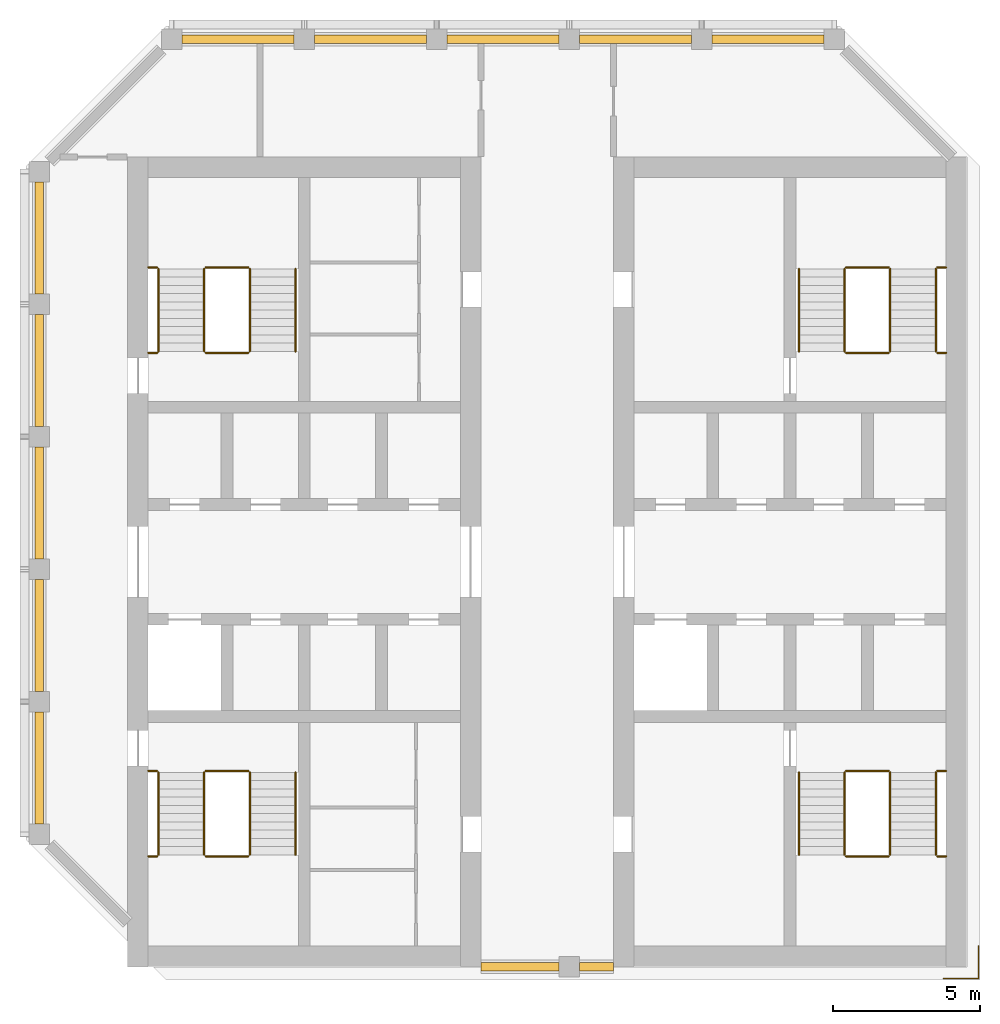
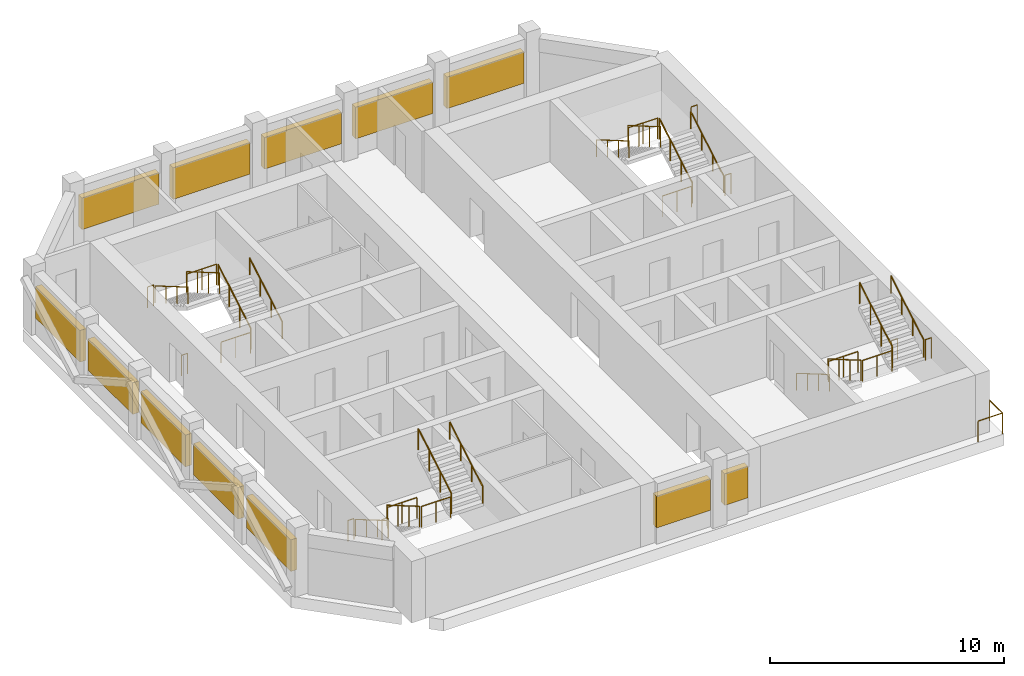
# One storey, part 5 of 5: 33 railings, 12 shading devices.
"""IFC4 building model written with IfcOpenShell, lengths in metres."""

from ifc_helpers import new_model, si_unit, direction, frame, origin, origin_2d, place, context, subcontext, project, spatial, rectangle, circle, extrude, material, layer, layer_set, type_object, element, save


model = new_model("IFC4")

# Units and contexts
model_context = context("Model", 3, precision=1e-05, world=origin(), true_north=direction((0.0, 1.0)))
body_context = subcontext(model_context, "Body", "Model", "MODEL_VIEW")
ifc_project = project(units=[si_unit("LENGTHUNIT", "METRE"), si_unit("AREAUNIT", "SQUARE_METRE"), si_unit("VOLUMEUNIT", "CUBIC_METRE"), si_unit("PLANEANGLEUNIT", "RADIAN"), si_unit("MASSUNIT", "GRAM", prefix="KILO")], contexts=[model_context])

# Site, building, storey
site_placement = place(None, origin())
site = spatial("IfcSite", under=ifc_project, at=site_placement, CompositionType="ELEMENT")
building_placement = place(site_placement, origin())
building = spatial("IfcBuilding", under=site, at=building_placement, Name="Corbel Stack Research Tower", CompositionType="ELEMENT")
storey_placement = place(building_placement, frame((0.0, 0.0, 326.199951171875)))
storey = spatial("IfcBuildingStorey", under=building, at=storey_placement, Name="L73", CompositionType="ELEMENT", Elevation=326.199951171875)

# Shading devices
ifc_material_1 = material(Name="Aluminium louvre", Category="aluminium")
ifc_layer = layer(ifc_material_1, 0.300048828125)
ifc_layer_set = layer_set([ifc_layer], Name="Aluminium louvre")
shading_device_type = type_object("IfcShadingDeviceType", Name="Plant louvre 300", PredefinedType="USERDEFINED", material=ifc_layer_set)
shading_device_1_placement = place(storey_placement, frame((2.824951171875, -9.0, 0.85009765625), z_axis=(0.0, 0.0, 1.0), x_axis=(1.0, 0.0, 0.0)))
element("IfcShadingDevice", 1, at=shading_device_1_placement, inside=storey, type_object=shading_device_type, Name="Plant louvre L73-01", ObjectType="LOUVRE", PredefinedType="USERDEFINED", context=body_context, shape_type="SweptSolid", body=[
    extrude(rectangle(XDim=2.64990234375, YDim=0.300048828125, at=origin_2d()), origin(), (0.0, 0.0, 1.0), 1.64990234375),
])
shading_device_2_placement = place(storey_placement, frame((5.425048828125, -9.0, 0.85009765625), z_axis=(0.0, 0.0, 1.0), x_axis=(1.0, 0.0, 0.0)))
element("IfcShadingDevice", 2, at=shading_device_2_placement, inside=storey, type_object=shading_device_type, Name="Plant louvre L73-02", ObjectType="LOUVRE", PredefinedType="USERDEFINED", context=body_context, shape_type="SweptSolid", body=[
    extrude(rectangle(XDim=1.14990234375, YDim=0.300048828125, at=origin_2d()), origin(), (0.0, 0.0, 1.0), 1.64990234375),
])
for number, where, z_axis, x_axis, name in (
    (3, (11.25, 22.5, 0.85009765625), (0.0, 0.0, 1.0), (-1.0, 0.0, 0.0), "Plant louvre L73-04"),
    (4, (6.75, 22.5, 0.85009765625), (0.0, 0.0, 1.0), (-1.0, 0.0, 0.0), "Plant louvre L73-05"),
    (5, (2.25, 22.5, 0.85009765625), (0.0, 0.0, 1.0), (-1.0, 0.0, 0.0), "Plant louvre L73-06"),
    (6, (-2.25, 22.5, 0.85009765625), (0.0, 0.0, 1.0), (-1.0, 0.0, 0.0), "Plant louvre L73-07"),
    (7, (-6.75, 22.5, 0.85009765625), (0.0, 0.0, 1.0), (-1.0, 0.0, 0.0), "Plant louvre L73-08"),
    (8, (-13.5, 15.75, 0.85009765625), (0.0, 0.0, 1.0), (0.0, -1.0, 0.0), "Plant louvre L73-10"),
    (9, (-13.5, 11.25, 0.85009765625), (0.0, 0.0, 1.0), (0.0, -1.0, 0.0), "Plant louvre L73-11"),
    (10, (-13.5, 6.75, 0.85009765625), (0.0, 0.0, 1.0), (0.0, -1.0, 0.0), "Plant louvre L73-12"),
    (11, (-13.5, 2.25, 0.85009765625), (0.0, 0.0, 1.0), (0.0, -1.0, 0.0), "Plant louvre L73-13"),
    (12, (-13.5, -2.25, 0.85009765625), (0.0, 0.0, 1.0), (0.0, -1.0, 0.0), "Plant louvre L73-14"),
):
    element("IfcShadingDevice", number, at=place(storey_placement, frame(where, z_axis=z_axis, x_axis=x_axis)), inside=storey, type_object=shading_device_type, Name=name, ObjectType="LOUVRE", PredefinedType="USERDEFINED", context=body_context, shape_type="SweptSolid", body=[
        extrude(rectangle(XDim=3.800048828125, YDim=0.300048828125, at=origin_2d()), origin(), (0.0, 0.0, 1.0), 1.64990234375),
    ])

# Railings
ifc_material_2 = material(Name="Steel S355", Category="steel")
railing_type_1 = type_object("IfcRailingType", Name="Stair guard 1100", PredefinedType="GUARDRAIL", material=ifc_material_2)
railing_1_placement = place(storey_placement, frame((-7.89990234375, -2.39990234375, 0.16357421875)))
element("IfcRailing", 13, at=railing_1_placement, inside=storey, type_object=railing_type_1, Name="L73 ST-W1 stair guard 1", PredefinedType="GUARDRAIL", context=body_context, shape_type="SweptSolid", body=[
    extrude(circle(Radius=0.02392578125, at=origin_2d()), frame((0.0, 0.0, 1.076171875), z_axis=(0.0, -0.863360870873, 0.504586966384), x_axis=(1.0, 0.0, 0.0)), (0.0, 0.0, 1.0), 3.2431640625),
    extrude(circle(Radius=0.02099609375, at=origin_2d()), origin(), (0.0, 0.0, 1.0), 1.052001953125),
    extrude(circle(Radius=0.02099609375, at=origin_2d()), frame((0.0, -0.933349609375, 0.54541015625)), (0.0, 0.0, 1.0), 1.052001953125),
    extrude(circle(Radius=0.02099609375, at=origin_2d()), frame((0.0, -1.86669921875, 1.091064453125)), (0.0, 0.0, 1.0), 1.052001953125),
    extrude(circle(Radius=0.02099609375, at=origin_2d()), frame((0.0, -2.800048828125, 1.636474609375)), (0.0, 0.0, 1.0), 1.052001953125),
])
railing_2_placement = place(storey_placement, frame((-7.85009765625, -5.25, 1.800048828125)))
element("IfcRailing", 14, at=railing_2_placement, inside=storey, type_object=railing_type_1, Name="L73 ST-W1 stair guard 2", PredefinedType="GUARDRAIL", context=body_context, shape_type="SweptSolid", body=[
    extrude(circle(Radius=0.02392578125, at=origin_2d()), frame((0.0, 0.0, 1.076171875), z_axis=(1.0, 0.0, 0.0), x_axis=(0.0, 1.0, 0.0)), (0.0, 0.0, 1.0), 1.4501953125),
    extrude(circle(Radius=0.02099609375, at=origin_2d()), origin(), (0.0, 0.0, 1.0), 1.052001953125),
    extrude(circle(Radius=0.02099609375, at=origin_2d()), frame((0.72509765625, 0.0, 0.0)), (0.0, 0.0, 1.0), 1.052001953125),
    extrude(circle(Radius=0.02099609375, at=origin_2d()), frame((1.4501953125, 0.0, 0.0)), (0.0, 0.0, 1.0), 1.052001953125),
])
railing_3_placement = place(storey_placement, frame((-9.800048828125, -5.25, 1.800048828125)))
element("IfcRailing", 15, at=railing_3_placement, inside=storey, type_object=railing_type_1, Name="L73 ST-W1 stair guard 3", PredefinedType="GUARDRAIL", context=body_context, shape_type="SweptSolid", body=[
    extrude(circle(Radius=0.02392578125, at=origin_2d()), frame((0.0, 0.0, 1.076171875), z_axis=(1.0, 0.0, 0.0), x_axis=(0.0, 1.0, 0.0)), (0.0, 0.0, 1.0), 0.300048828125),
    extrude(circle(Radius=0.02099609375, at=origin_2d()), origin(), (0.0, 0.0, 1.0), 1.052001953125),
    extrude(circle(Radius=0.02099609375, at=origin_2d()), frame((0.300048828125, 0.0, 0.0)), (0.0, 0.0, 1.0), 1.052001953125),
])
railing_4_placement = place(storey_placement, frame((-6.35009765625, -5.199951171875, 1.963623046875)))
element("IfcRailing", 16, at=railing_4_placement, inside=storey, type_object=railing_type_1, Name="L73 ST-W1 stair guard 4", PredefinedType="GUARDRAIL", context=body_context, shape_type="SweptSolid", body=[
    extrude(circle(Radius=0.02392578125, at=origin_2d()), frame((0.0, 0.0, 1.076171875), z_axis=(0.0, 0.863360870873, 0.504586966384), x_axis=(-1.0, 0.0, 0.0)), (0.0, 0.0, 1.0), 3.2431640625),
    extrude(circle(Radius=0.02099609375, at=origin_2d()), origin(), (0.0, 0.0, 1.0), 1.052001953125),
    extrude(circle(Radius=0.02099609375, at=origin_2d()), frame((0.0, 0.933349609375, 0.54541015625)), (0.0, 0.0, 1.0), 1.052001953125),
    extrude(circle(Radius=0.02099609375, at=origin_2d()), frame((0.0, 1.86669921875, 1.091064453125)), (0.0, 0.0, 1.0), 1.052001953125),
    extrude(circle(Radius=0.02099609375, at=origin_2d()), frame((0.0, 2.800048828125, 1.636474609375)), (0.0, 0.0, 1.0), 1.052001953125),
])
railing_5_placement = place(storey_placement, frame((-7.85009765625, -2.35009765625, 0.0)))
element("IfcRailing", 17, at=railing_5_placement, inside=storey, type_object=railing_type_1, Name="L73 ST-W1 stair guard 5", PredefinedType="GUARDRAIL", context=body_context, shape_type="SweptSolid", body=[
    extrude(circle(Radius=0.02392578125, at=origin_2d()), frame((0.0, 0.0, 1.076171875), z_axis=(1.0, 0.0, 0.0), x_axis=(0.0, 1.0, 0.0)), (0.0, 0.0, 1.0), 1.4501953125),
    extrude(circle(Radius=0.02099609375, at=origin_2d()), origin(), (0.0, 0.0, 1.0), 1.052001953125),
    extrude(circle(Radius=0.02099609375, at=origin_2d()), frame((0.72509765625, 0.0, 0.0)), (0.0, 0.0, 1.0), 1.052001953125),
    extrude(circle(Radius=0.02099609375, at=origin_2d()), frame((1.4501953125, 0.0, 0.0)), (0.0, 0.0, 1.0), 1.052001953125),
])
railing_6_placement = place(storey_placement, frame((-9.800048828125, -2.35009765625, 0.0)))
element("IfcRailing", 18, at=railing_6_placement, inside=storey, type_object=railing_type_1, Name="L73 ST-W1 stair guard 6", PredefinedType="GUARDRAIL", context=body_context, shape_type="SweptSolid", body=[
    extrude(circle(Radius=0.02392578125, at=origin_2d()), frame((0.0, 0.0, 1.076171875), z_axis=(1.0, 0.0, 0.0), x_axis=(0.0, 1.0, 0.0)), (0.0, 0.0, 1.0), 0.300048828125),
    extrude(circle(Radius=0.02099609375, at=origin_2d()), origin(), (0.0, 0.0, 1.0), 1.052001953125),
    extrude(circle(Radius=0.02099609375, at=origin_2d()), frame((0.300048828125, 0.0, 0.0)), (0.0, 0.0, 1.0), 1.052001953125),
])
railing_7_placement = place(storey_placement, frame((-6.35009765625, 11.89990234375, 0.16357421875)))
element("IfcRailing", 19, at=railing_7_placement, inside=storey, type_object=railing_type_1, Name="L73 ST-W2 stair guard 1", PredefinedType="GUARDRAIL", context=body_context, shape_type="SweptSolid", body=[
    extrude(circle(Radius=0.02392578125, at=origin_2d()), frame((0.0, 0.0, 1.076171875), z_axis=(0.0, 0.863360870873, 0.504586966384), x_axis=(-1.0, 0.0, 0.0)), (0.0, 0.0, 1.0), 3.2431640625),
    extrude(circle(Radius=0.02099609375, at=origin_2d()), origin(), (0.0, 0.0, 1.0), 1.052001953125),
    extrude(circle(Radius=0.02099609375, at=origin_2d()), frame((0.0, 0.933349609375, 0.54541015625)), (0.0, 0.0, 1.0), 1.052001953125),
    extrude(circle(Radius=0.02099609375, at=origin_2d()), frame((0.0, 1.86669921875, 1.091064453125)), (0.0, 0.0, 1.0), 1.052001953125),
    extrude(circle(Radius=0.02099609375, at=origin_2d()), frame((0.0, 2.800048828125, 1.636474609375)), (0.0, 0.0, 1.0), 1.052001953125),
])
railing_8_placement = place(storey_placement, frame((-6.39990234375, 14.75, 1.800048828125)))
element("IfcRailing", 20, at=railing_8_placement, inside=storey, type_object=railing_type_1, Name="L73 ST-W2 stair guard 2", PredefinedType="GUARDRAIL", context=body_context, shape_type="SweptSolid", body=[
    extrude(circle(Radius=0.02392578125, at=origin_2d()), frame((0.0, 0.0, 1.076171875), z_axis=(-1.0, 0.0, 0.0), x_axis=(0.0, -1.0, 0.0)), (0.0, 0.0, 1.0), 1.4501953125),
    extrude(circle(Radius=0.02099609375, at=origin_2d()), origin(), (0.0, 0.0, 1.0), 1.052001953125),
    extrude(circle(Radius=0.02099609375, at=origin_2d()), frame((-0.72509765625, 0.0, 0.0)), (0.0, 0.0, 1.0), 1.052001953125),
    extrude(circle(Radius=0.02099609375, at=origin_2d()), frame((-1.4501953125, 0.0, 0.0)), (0.0, 0.0, 1.0), 1.052001953125),
])
railing_9_placement = place(storey_placement, frame((-9.5, 14.75, 1.800048828125)))
element("IfcRailing", 21, at=railing_9_placement, inside=storey, type_object=railing_type_1, Name="L73 ST-W2 stair guard 3", PredefinedType="GUARDRAIL", context=body_context, shape_type="SweptSolid", body=[
    extrude(circle(Radius=0.02392578125, at=origin_2d()), frame((0.0, 0.0, 1.076171875), z_axis=(-1.0, 0.0, 0.0), x_axis=(0.0, -1.0, 0.0)), (0.0, 0.0, 1.0), 0.300048828125),
    extrude(circle(Radius=0.02099609375, at=origin_2d()), origin(), (0.0, 0.0, 1.0), 1.052001953125),
    extrude(circle(Radius=0.02099609375, at=origin_2d()), frame((-0.300048828125, 0.0, 0.0)), (0.0, 0.0, 1.0), 1.052001953125),
])
railing_10_placement = place(storey_placement, frame((-7.89990234375, 14.699951171875, 1.963623046875)))
element("IfcRailing", 22, at=railing_10_placement, inside=storey, type_object=railing_type_1, Name="L73 ST-W2 stair guard 4", PredefinedType="GUARDRAIL", context=body_context, shape_type="SweptSolid", body=[
    extrude(circle(Radius=0.02392578125, at=origin_2d()), frame((0.0, 0.0, 1.076171875), z_axis=(0.0, -0.863360870873, 0.504586966384), x_axis=(1.0, 0.0, 0.0)), (0.0, 0.0, 1.0), 3.2431640625),
    extrude(circle(Radius=0.02099609375, at=origin_2d()), origin(), (0.0, 0.0, 1.0), 1.052001953125),
    extrude(circle(Radius=0.02099609375, at=origin_2d()), frame((0.0, -0.933349609375, 0.54541015625)), (0.0, 0.0, 1.0), 1.052001953125),
    extrude(circle(Radius=0.02099609375, at=origin_2d()), frame((0.0, -1.86669921875, 1.091064453125)), (0.0, 0.0, 1.0), 1.052001953125),
    extrude(circle(Radius=0.02099609375, at=origin_2d()), frame((0.0, -2.800048828125, 1.636474609375)), (0.0, 0.0, 1.0), 1.052001953125),
])
railing_11_placement = place(storey_placement, frame((-6.39990234375, 11.85009765625, 0.0)))
element("IfcRailing", 23, at=railing_11_placement, inside=storey, type_object=railing_type_1, Name="L73 ST-W2 stair guard 5", PredefinedType="GUARDRAIL", context=body_context, shape_type="SweptSolid", body=[
    extrude(circle(Radius=0.02392578125, at=origin_2d()), frame((0.0, 0.0, 1.076171875), z_axis=(-1.0, 0.0, 0.0), x_axis=(0.0, -1.0, 0.0)), (0.0, 0.0, 1.0), 1.4501953125),
    extrude(circle(Radius=0.02099609375, at=origin_2d()), origin(), (0.0, 0.0, 1.0), 1.052001953125),
    extrude(circle(Radius=0.02099609375, at=origin_2d()), frame((-0.72509765625, 0.0, 0.0)), (0.0, 0.0, 1.0), 1.052001953125),
    extrude(circle(Radius=0.02099609375, at=origin_2d()), frame((-1.4501953125, 0.0, 0.0)), (0.0, 0.0, 1.0), 1.052001953125),
])
railing_12_placement = place(storey_placement, frame((-9.5, 11.85009765625, 0.0)))
element("IfcRailing", 24, at=railing_12_placement, inside=storey, type_object=railing_type_1, Name="L73 ST-W2 stair guard 6", PredefinedType="GUARDRAIL", context=body_context, shape_type="SweptSolid", body=[
    extrude(circle(Radius=0.02392578125, at=origin_2d()), frame((0.0, 0.0, 1.076171875), z_axis=(-1.0, 0.0, 0.0), x_axis=(0.0, -1.0, 0.0)), (0.0, 0.0, 1.0), 0.300048828125),
    extrude(circle(Radius=0.02099609375, at=origin_2d()), origin(), (0.0, 0.0, 1.0), 1.052001953125),
    extrude(circle(Radius=0.02099609375, at=origin_2d()), frame((-0.300048828125, 0.0, 0.0)), (0.0, 0.0, 1.0), 1.052001953125),
])
railing_13_placement = place(storey_placement, frame((13.85009765625, -2.39990234375, 0.16357421875)))
element("IfcRailing", 25, at=railing_13_placement, inside=storey, type_object=railing_type_1, Name="L73 ST-E1 stair guard 1", PredefinedType="GUARDRAIL", context=body_context, shape_type="SweptSolid", body=[
    extrude(circle(Radius=0.02392578125, at=origin_2d()), frame((0.0, 0.0, 1.076171875), z_axis=(0.0, -0.863360870873, 0.504586966384), x_axis=(1.0, 0.0, 0.0)), (0.0, 0.0, 1.0), 3.2431640625),
    extrude(circle(Radius=0.02099609375, at=origin_2d()), origin(), (0.0, 0.0, 1.0), 1.052001953125),
    extrude(circle(Radius=0.02099609375, at=origin_2d()), frame((0.0, -0.933349609375, 0.54541015625)), (0.0, 0.0, 1.0), 1.052001953125),
    extrude(circle(Radius=0.02099609375, at=origin_2d()), frame((0.0, -1.86669921875, 1.091064453125)), (0.0, 0.0, 1.0), 1.052001953125),
    extrude(circle(Radius=0.02099609375, at=origin_2d()), frame((0.0, -2.800048828125, 1.636474609375)), (0.0, 0.0, 1.0), 1.052001953125),
])
railing_14_placement = place(storey_placement, frame((13.89990234375, -5.25, 1.800048828125)))
element("IfcRailing", 26, at=railing_14_placement, inside=storey, type_object=railing_type_1, Name="L73 ST-E1 stair guard 2", PredefinedType="GUARDRAIL", context=body_context, shape_type="SweptSolid", body=[
    extrude(circle(Radius=0.02392578125, at=origin_2d()), frame((0.0, 0.0, 1.076171875), z_axis=(1.0, 0.0, 0.0), x_axis=(0.0, 1.0, 0.0)), (0.0, 0.0, 1.0), 1.4501953125),
    extrude(circle(Radius=0.02099609375, at=origin_2d()), origin(), (0.0, 0.0, 1.0), 1.052001953125),
    extrude(circle(Radius=0.02099609375, at=origin_2d()), frame((0.72509765625, 0.0, 0.0)), (0.0, 0.0, 1.0), 1.052001953125),
    extrude(circle(Radius=0.02099609375, at=origin_2d()), frame((1.4501953125, 0.0, 0.0)), (0.0, 0.0, 1.0), 1.052001953125),
])
railing_15_placement = place(storey_placement, frame((17.0, -5.25, 1.800048828125)))
element("IfcRailing", 27, at=railing_15_placement, inside=storey, type_object=railing_type_1, Name="L73 ST-E1 stair guard 3", PredefinedType="GUARDRAIL", context=body_context, shape_type="SweptSolid", body=[
    extrude(circle(Radius=0.02392578125, at=origin_2d()), frame((0.0, 0.0, 1.076171875), z_axis=(1.0, 0.0, 0.0), x_axis=(0.0, 1.0, 0.0)), (0.0, 0.0, 1.0), 0.300048828125),
    extrude(circle(Radius=0.02099609375, at=origin_2d()), origin(), (0.0, 0.0, 1.0), 1.052001953125),
    extrude(circle(Radius=0.02099609375, at=origin_2d()), frame((0.300048828125, 0.0, 0.0)), (0.0, 0.0, 1.0), 1.052001953125),
])
railing_16_placement = place(storey_placement, frame((15.39990234375, -5.199951171875, 1.963623046875)))
element("IfcRailing", 28, at=railing_16_placement, inside=storey, type_object=railing_type_1, Name="L73 ST-E1 stair guard 4", PredefinedType="GUARDRAIL", context=body_context, shape_type="SweptSolid", body=[
    extrude(circle(Radius=0.02392578125, at=origin_2d()), frame((0.0, 0.0, 1.076171875), z_axis=(0.0, 0.863360870873, 0.504586966384), x_axis=(-1.0, 0.0, 0.0)), (0.0, 0.0, 1.0), 3.2431640625),
    extrude(circle(Radius=0.02099609375, at=origin_2d()), origin(), (0.0, 0.0, 1.0), 1.052001953125),
    extrude(circle(Radius=0.02099609375, at=origin_2d()), frame((0.0, 0.933349609375, 0.54541015625)), (0.0, 0.0, 1.0), 1.052001953125),
    extrude(circle(Radius=0.02099609375, at=origin_2d()), frame((0.0, 1.86669921875, 1.091064453125)), (0.0, 0.0, 1.0), 1.052001953125),
    extrude(circle(Radius=0.02099609375, at=origin_2d()), frame((0.0, 2.800048828125, 1.636474609375)), (0.0, 0.0, 1.0), 1.052001953125),
])
railing_17_placement = place(storey_placement, frame((13.89990234375, -2.35009765625, 0.0)))
element("IfcRailing", 29, at=railing_17_placement, inside=storey, type_object=railing_type_1, Name="L73 ST-E1 stair guard 5", PredefinedType="GUARDRAIL", context=body_context, shape_type="SweptSolid", body=[
    extrude(circle(Radius=0.02392578125, at=origin_2d()), frame((0.0, 0.0, 1.076171875), z_axis=(1.0, 0.0, 0.0), x_axis=(0.0, 1.0, 0.0)), (0.0, 0.0, 1.0), 1.4501953125),
    extrude(circle(Radius=0.02099609375, at=origin_2d()), origin(), (0.0, 0.0, 1.0), 1.052001953125),
    extrude(circle(Radius=0.02099609375, at=origin_2d()), frame((0.72509765625, 0.0, 0.0)), (0.0, 0.0, 1.0), 1.052001953125),
    extrude(circle(Radius=0.02099609375, at=origin_2d()), frame((1.4501953125, 0.0, 0.0)), (0.0, 0.0, 1.0), 1.052001953125),
])
railing_18_placement = place(storey_placement, frame((17.0, -2.35009765625, 0.0)))
element("IfcRailing", 30, at=railing_18_placement, inside=storey, type_object=railing_type_1, Name="L73 ST-E1 stair guard 6", PredefinedType="GUARDRAIL", context=body_context, shape_type="SweptSolid", body=[
    extrude(circle(Radius=0.02392578125, at=origin_2d()), frame((0.0, 0.0, 1.076171875), z_axis=(1.0, 0.0, 0.0), x_axis=(0.0, 1.0, 0.0)), (0.0, 0.0, 1.0), 0.300048828125),
    extrude(circle(Radius=0.02099609375, at=origin_2d()), origin(), (0.0, 0.0, 1.0), 1.052001953125),
    extrude(circle(Radius=0.02099609375, at=origin_2d()), frame((0.300048828125, 0.0, 0.0)), (0.0, 0.0, 1.0), 1.052001953125),
])
railing_19_placement = place(storey_placement, frame((15.39990234375, 11.89990234375, 0.16357421875)))
element("IfcRailing", 31, at=railing_19_placement, inside=storey, type_object=railing_type_1, Name="L73 ST-E2 stair guard 1", PredefinedType="GUARDRAIL", context=body_context, shape_type="SweptSolid", body=[
    extrude(circle(Radius=0.02392578125, at=origin_2d()), frame((0.0, 0.0, 1.076171875), z_axis=(0.0, 0.863360870873, 0.504586966384), x_axis=(-1.0, 0.0, 0.0)), (0.0, 0.0, 1.0), 3.2431640625),
    extrude(circle(Radius=0.02099609375, at=origin_2d()), origin(), (0.0, 0.0, 1.0), 1.052001953125),
    extrude(circle(Radius=0.02099609375, at=origin_2d()), frame((0.0, 0.933349609375, 0.54541015625)), (0.0, 0.0, 1.0), 1.052001953125),
    extrude(circle(Radius=0.02099609375, at=origin_2d()), frame((0.0, 1.86669921875, 1.091064453125)), (0.0, 0.0, 1.0), 1.052001953125),
    extrude(circle(Radius=0.02099609375, at=origin_2d()), frame((0.0, 2.800048828125, 1.636474609375)), (0.0, 0.0, 1.0), 1.052001953125),
])
railing_20_placement = place(storey_placement, frame((15.35009765625, 14.75, 1.800048828125)))
element("IfcRailing", 32, at=railing_20_placement, inside=storey, type_object=railing_type_1, Name="L73 ST-E2 stair guard 2", PredefinedType="GUARDRAIL", context=body_context, shape_type="SweptSolid", body=[
    extrude(circle(Radius=0.02392578125, at=origin_2d()), frame((0.0, 0.0, 1.076171875), z_axis=(-1.0, 0.0, 0.0), x_axis=(0.0, -1.0, 0.0)), (0.0, 0.0, 1.0), 1.4501953125),
    extrude(circle(Radius=0.02099609375, at=origin_2d()), origin(), (0.0, 0.0, 1.0), 1.052001953125),
    extrude(circle(Radius=0.02099609375, at=origin_2d()), frame((-0.72509765625, 0.0, 0.0)), (0.0, 0.0, 1.0), 1.052001953125),
    extrude(circle(Radius=0.02099609375, at=origin_2d()), frame((-1.4501953125, 0.0, 0.0)), (0.0, 0.0, 1.0), 1.052001953125),
])
railing_21_placement = place(storey_placement, frame((17.300048828125, 14.75, 1.800048828125)))
element("IfcRailing", 33, at=railing_21_placement, inside=storey, type_object=railing_type_1, Name="L73 ST-E2 stair guard 3", PredefinedType="GUARDRAIL", context=body_context, shape_type="SweptSolid", body=[
    extrude(circle(Radius=0.02392578125, at=origin_2d()), frame((0.0, 0.0, 1.076171875), z_axis=(-1.0, 0.0, 0.0), x_axis=(0.0, -1.0, 0.0)), (0.0, 0.0, 1.0), 0.300048828125),
    extrude(circle(Radius=0.02099609375, at=origin_2d()), origin(), (0.0, 0.0, 1.0), 1.052001953125),
    extrude(circle(Radius=0.02099609375, at=origin_2d()), frame((-0.300048828125, 0.0, 0.0)), (0.0, 0.0, 1.0), 1.052001953125),
])
railing_22_placement = place(storey_placement, frame((13.85009765625, 14.699951171875, 1.963623046875)))
element("IfcRailing", 34, at=railing_22_placement, inside=storey, type_object=railing_type_1, Name="L73 ST-E2 stair guard 4", PredefinedType="GUARDRAIL", context=body_context, shape_type="SweptSolid", body=[
    extrude(circle(Radius=0.02392578125, at=origin_2d()), frame((0.0, 0.0, 1.076171875), z_axis=(0.0, -0.863360870873, 0.504586966384), x_axis=(1.0, 0.0, 0.0)), (0.0, 0.0, 1.0), 3.2431640625),
    extrude(circle(Radius=0.02099609375, at=origin_2d()), origin(), (0.0, 0.0, 1.0), 1.052001953125),
    extrude(circle(Radius=0.02099609375, at=origin_2d()), frame((0.0, -0.933349609375, 0.54541015625)), (0.0, 0.0, 1.0), 1.052001953125),
    extrude(circle(Radius=0.02099609375, at=origin_2d()), frame((0.0, -1.86669921875, 1.091064453125)), (0.0, 0.0, 1.0), 1.052001953125),
    extrude(circle(Radius=0.02099609375, at=origin_2d()), frame((0.0, -2.800048828125, 1.636474609375)), (0.0, 0.0, 1.0), 1.052001953125),
])
railing_23_placement = place(storey_placement, frame((15.35009765625, 11.85009765625, 0.0)))
element("IfcRailing", 35, at=railing_23_placement, inside=storey, type_object=railing_type_1, Name="L73 ST-E2 stair guard 5", PredefinedType="GUARDRAIL", context=body_context, shape_type="SweptSolid", body=[
    extrude(circle(Radius=0.02392578125, at=origin_2d()), frame((0.0, 0.0, 1.076171875), z_axis=(-1.0, 0.0, 0.0), x_axis=(0.0, -1.0, 0.0)), (0.0, 0.0, 1.0), 1.4501953125),
    extrude(circle(Radius=0.02099609375, at=origin_2d()), origin(), (0.0, 0.0, 1.0), 1.052001953125),
    extrude(circle(Radius=0.02099609375, at=origin_2d()), frame((-0.72509765625, 0.0, 0.0)), (0.0, 0.0, 1.0), 1.052001953125),
    extrude(circle(Radius=0.02099609375, at=origin_2d()), frame((-1.4501953125, 0.0, 0.0)), (0.0, 0.0, 1.0), 1.052001953125),
])
railing_24_placement = place(storey_placement, frame((17.300048828125, 11.85009765625, 0.0)))
element("IfcRailing", 36, at=railing_24_placement, inside=storey, type_object=railing_type_1, Name="L73 ST-E2 stair guard 6", PredefinedType="GUARDRAIL", context=body_context, shape_type="SweptSolid", body=[
    extrude(circle(Radius=0.02392578125, at=origin_2d()), frame((0.0, 0.0, 1.076171875), z_axis=(-1.0, 0.0, 0.0), x_axis=(0.0, -1.0, 0.0)), (0.0, 0.0, 1.0), 0.300048828125),
    extrude(circle(Radius=0.02099609375, at=origin_2d()), origin(), (0.0, 0.0, 1.0), 1.052001953125),
    extrude(circle(Radius=0.02099609375, at=origin_2d()), frame((-0.300048828125, 0.0, 0.0)), (0.0, 0.0, 1.0), 1.052001953125),
])
ifc_material_3 = material(Name="Steel S355", Category="steel")
railing_type_2 = type_object("IfcRailingType", Name="Stair handrail 900", PredefinedType="HANDRAIL", material=ifc_material_3)
railing_25_placement = place(storey_placement, frame((-9.449951171875, -2.39990234375, 0.16357421875)))
element("IfcRailing", 37, at=railing_25_placement, inside=storey, type_object=railing_type_2, Name="L73 ST-W1 stair handrail 1", PredefinedType="HANDRAIL", context=body_context, shape_type="SweptSolid", body=[
    extrude(circle(Radius=0.02392578125, at=origin_2d()), frame((0.0, 0.0, 0.8759765625), z_axis=(0.0, -0.863360870873, 0.504586966384), x_axis=(1.0, 0.0, 0.0)), (0.0, 0.0, 1.0), 3.2431640625),
    extrude(circle(Radius=0.02099609375, at=origin_2d()), origin(), (0.0, 0.0, 1.0), 0.851806640625),
    extrude(circle(Radius=0.02099609375, at=origin_2d()), frame((0.0, -0.933349609375, 0.54541015625)), (0.0, 0.0, 1.0), 0.851806640625),
    extrude(circle(Radius=0.02099609375, at=origin_2d()), frame((0.0, -1.86669921875, 1.091064453125)), (0.0, 0.0, 1.0), 0.851806640625),
    extrude(circle(Radius=0.02099609375, at=origin_2d()), frame((0.0, -2.800048828125, 1.636474609375)), (0.0, 0.0, 1.0), 0.851806640625),
])
for number, where, name in (
    (38, (-4.800048828125, -5.199951171875, 1.963623046875), "L73 ST-W1 stair handrail 2"),
    (39, (-4.800048828125, 11.89990234375, 0.16357421875), "L73 ST-W2 stair handrail 1"),
):
    element("IfcRailing", number, at=place(storey_placement, frame(where)), inside=storey, type_object=railing_type_2, Name=name, PredefinedType="HANDRAIL", context=body_context, shape_type="SweptSolid", body=[
        extrude(circle(Radius=0.02392578125, at=origin_2d()), frame((0.0, 0.0, 0.8759765625), z_axis=(0.0, 0.863360870873, 0.504586966384), x_axis=(-1.0, 0.0, 0.0)), (0.0, 0.0, 1.0), 3.2431640625),
        extrude(circle(Radius=0.02099609375, at=origin_2d()), origin(), (0.0, 0.0, 1.0), 0.851806640625),
        extrude(circle(Radius=0.02099609375, at=origin_2d()), frame((0.0, 0.933349609375, 0.54541015625)), (0.0, 0.0, 1.0), 0.851806640625),
        extrude(circle(Radius=0.02099609375, at=origin_2d()), frame((0.0, 1.86669921875, 1.091064453125)), (0.0, 0.0, 1.0), 0.851806640625),
        extrude(circle(Radius=0.02099609375, at=origin_2d()), frame((0.0, 2.800048828125, 1.636474609375)), (0.0, 0.0, 1.0), 0.851806640625),
    ])
for number, where, name in (
    (40, (-9.449951171875, 14.699951171875, 1.963623046875), "L73 ST-W2 stair handrail 2"),
    (41, (12.300048828125, -2.39990234375, 0.16357421875), "L73 ST-E1 stair handrail 1"),
):
    element("IfcRailing", number, at=place(storey_placement, frame(where)), inside=storey, type_object=railing_type_2, Name=name, PredefinedType="HANDRAIL", context=body_context, shape_type="SweptSolid", body=[
        extrude(circle(Radius=0.02392578125, at=origin_2d()), frame((0.0, 0.0, 0.8759765625), z_axis=(0.0, -0.863360870873, 0.504586966384), x_axis=(1.0, 0.0, 0.0)), (0.0, 0.0, 1.0), 3.2431640625),
        extrude(circle(Radius=0.02099609375, at=origin_2d()), origin(), (0.0, 0.0, 1.0), 0.851806640625),
        extrude(circle(Radius=0.02099609375, at=origin_2d()), frame((0.0, -0.933349609375, 0.54541015625)), (0.0, 0.0, 1.0), 0.851806640625),
        extrude(circle(Radius=0.02099609375, at=origin_2d()), frame((0.0, -1.86669921875, 1.091064453125)), (0.0, 0.0, 1.0), 0.851806640625),
        extrude(circle(Radius=0.02099609375, at=origin_2d()), frame((0.0, -2.800048828125, 1.636474609375)), (0.0, 0.0, 1.0), 0.851806640625),
    ])
for number, where, name in (
    (42, (16.949951171875, -5.199951171875, 1.963623046875), "L73 ST-E1 stair handrail 2"),
    (43, (16.949951171875, 11.89990234375, 0.16357421875), "L73 ST-E2 stair handrail 1"),
):
    element("IfcRailing", number, at=place(storey_placement, frame(where)), inside=storey, type_object=railing_type_2, Name=name, PredefinedType="HANDRAIL", context=body_context, shape_type="SweptSolid", body=[
        extrude(circle(Radius=0.02392578125, at=origin_2d()), frame((0.0, 0.0, 0.8759765625), z_axis=(0.0, 0.863360870873, 0.504586966384), x_axis=(-1.0, 0.0, 0.0)), (0.0, 0.0, 1.0), 3.2431640625),
        extrude(circle(Radius=0.02099609375, at=origin_2d()), origin(), (0.0, 0.0, 1.0), 0.851806640625),
        extrude(circle(Radius=0.02099609375, at=origin_2d()), frame((0.0, 0.933349609375, 0.54541015625)), (0.0, 0.0, 1.0), 0.851806640625),
        extrude(circle(Radius=0.02099609375, at=origin_2d()), frame((0.0, 1.86669921875, 1.091064453125)), (0.0, 0.0, 1.0), 0.851806640625),
        extrude(circle(Radius=0.02099609375, at=origin_2d()), frame((0.0, 2.800048828125, 1.636474609375)), (0.0, 0.0, 1.0), 0.851806640625),
    ])
railing_26_placement = place(storey_placement, frame((12.300048828125, 14.699951171875, 1.963623046875)))
element("IfcRailing", 44, at=railing_26_placement, inside=storey, type_object=railing_type_2, Name="L73 ST-E2 stair handrail 2", PredefinedType="HANDRAIL", context=body_context, shape_type="SweptSolid", body=[
    extrude(circle(Radius=0.02392578125, at=origin_2d()), frame((0.0, 0.0, 0.8759765625), z_axis=(0.0, -0.863360870873, 0.504586966384), x_axis=(1.0, 0.0, 0.0)), (0.0, 0.0, 1.0), 3.2431640625),
    extrude(circle(Radius=0.02099609375, at=origin_2d()), origin(), (0.0, 0.0, 1.0), 0.851806640625),
    extrude(circle(Radius=0.02099609375, at=origin_2d()), frame((0.0, -0.933349609375, 0.54541015625)), (0.0, 0.0, 1.0), 0.851806640625),
    extrude(circle(Radius=0.02099609375, at=origin_2d()), frame((0.0, -1.86669921875, 1.091064453125)), (0.0, 0.0, 1.0), 0.851806640625),
    extrude(circle(Radius=0.02099609375, at=origin_2d()), frame((0.0, -2.800048828125, 1.636474609375)), (0.0, 0.0, 1.0), 0.851806640625),
])
ifc_material_4 = material(Name="Powder-coated steel guard", Category="steel")
railing_type_3 = type_object("IfcRailingType", Name="Steel and glass guard 1100", PredefinedType="GUARDRAIL", material=ifc_material_4)
railing_27_placement = place(storey_placement, frame((18.39990234375, -8.290771484375, 0.0)))
element("IfcRailing", 45, at=railing_27_placement, inside=storey, type_object=railing_type_3, Name="Crown corner guard L73", PredefinedType="GUARDRAIL", context=body_context, shape_type="SweptSolid", body=[
    extrude(circle(Radius=0.02392578125, at=origin_2d()), frame((0.0, 0.0, 1.076171875), z_axis=(0.0, -1.0, 0.0), x_axis=(1.0, 0.0, 0.0)), (0.0, 0.0, 1.0), 1.109130859375),
    extrude(circle(Radius=0.02392578125, at=origin_2d()), frame((0.0, -1.109130859375, 1.076171875), z_axis=(-1.0, 0.0, 0.0), x_axis=(0.0, -1.0, 0.0)), (0.0, 0.0, 1.0), 1.19091796875),
    extrude(circle(Radius=0.02099609375, at=origin_2d()), origin(), (0.0, 0.0, 1.0), 1.052001953125),
    extrude(circle(Radius=0.02099609375, at=origin_2d()), frame((0.0, -1.109130859375, 0.0)), (0.0, 0.0, 1.0), 1.052001953125),
    extrude(circle(Radius=0.02099609375, at=origin_2d()), frame((-1.19091796875, -1.109130859375, 0.0)), (0.0, 0.0, 1.0), 1.052001953125),
])

save(model, "model.ifc")
